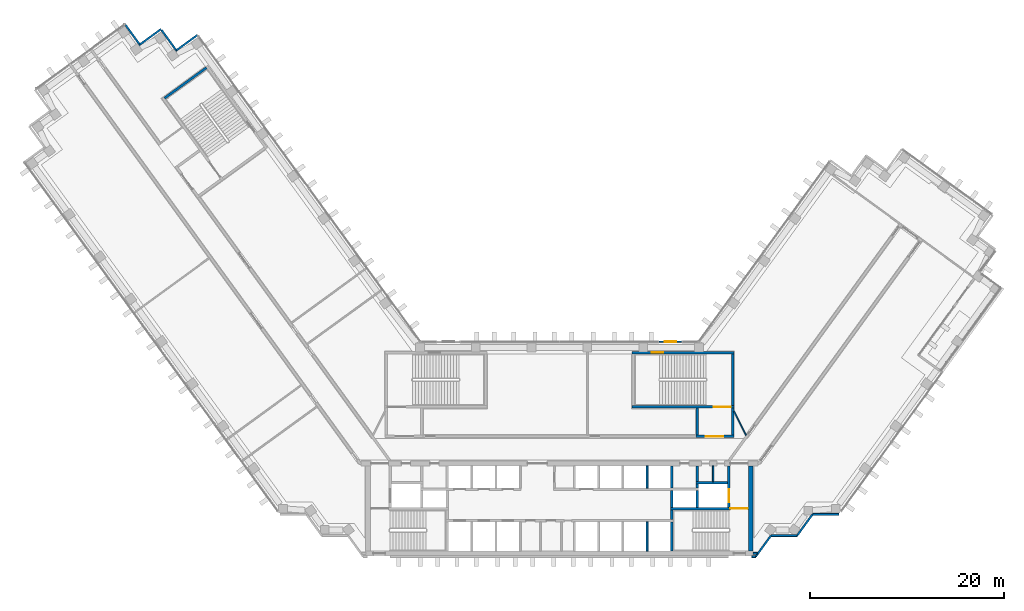
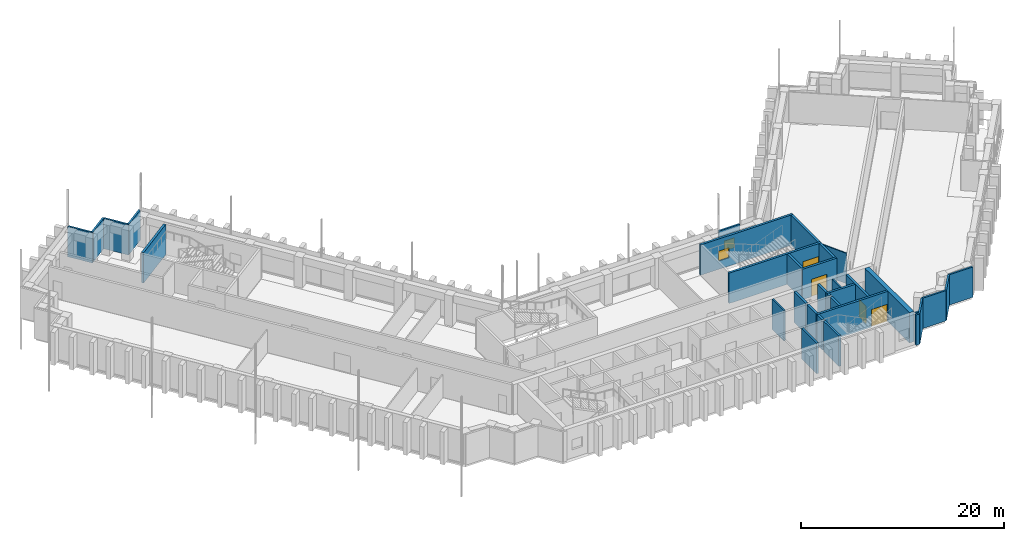
# One storey, part 12 of 16: 33 walls, 4 doors, 2 windows, 6 openings.
"""IFC4 building model written with IfcOpenShell, lengths in metres."""

from ifc_helpers import new_model, si_unit, direction, frame, frame_2d, origin, place, context, subcontext, project, spatial, rectangle, extrude, material, layer, layer_set, type_object, element, fill, save


model = new_model("IFC4")

# Units and contexts
model_context = context("Model", 3, precision=1e-05, world=origin(), true_north=direction((0.0, 1.0)))
body_context = subcontext(model_context, "Body", "Model", "MODEL_VIEW")
ifc_project = project(units=[si_unit("LENGTHUNIT", "METRE"), si_unit("AREAUNIT", "SQUARE_METRE"), si_unit("VOLUMEUNIT", "CUBIC_METRE"), si_unit("PLANEANGLEUNIT", "RADIAN"), si_unit("MASSUNIT", "GRAM", prefix="KILO")], contexts=[model_context])

# Site, building, storey
site_placement = place(None, origin())
site = spatial("IfcSite", under=ifc_project, at=site_placement, CompositionType="ELEMENT")
building_placement = place(site_placement, origin())
building = spatial("IfcBuilding", under=site, at=building_placement, Name="Quipu Civic Tower", CompositionType="ELEMENT")
storey_placement = place(building_placement, frame((0.0, 0.0, 89.0)))
storey = spatial("IfcBuildingStorey", under=building, at=storey_placement, Name="L20", CompositionType="ELEMENT", Elevation=89.0)

# Walls
ifc_material_1 = material(Name="Concrete C70/85", Category="concrete")
ifc_layer_1 = layer(ifc_material_1, 0.25)
ifc_layer_set_1 = layer_set([ifc_layer_1], Name="Concrete C70/85")
wall_type_1 = type_object("IfcWallType", Name="Core wall 250", PredefinedType="SHEAR", material=ifc_layer_set_1)
wall_1_placement = place(storey_placement, frame((11.574951171875, -10.5, 0.0), z_axis=(0.0, 0.0, 1.0), x_axis=(0.0, 1.0, 0.0)))
element("IfcWall", 1, at=wall_1_placement, inside=storey, type_object=wall_type_1, Name="Core wall", PredefinedType="SHEAR", context=body_context, shape_type="SweptSolid", body=[
    extrude(rectangle(XDim=3.0, YDim=0.25, at=frame_2d((1.5, 0.0))), origin(), (0.0, 0.0, 1.0), 3.64990234375),
])
wall_2_placement = place(storey_placement, frame((11.574951171875, -7.25, 0.0), z_axis=(0.0, 0.0, 1.0), x_axis=(0.0, 1.0, 0.0)))
element("IfcWall", 2, at=wall_2_placement, inside=storey, type_object=wall_type_1, Name="Core wall", PredefinedType="SHEAR", context=body_context, shape_type="SweptSolid", body=[
    extrude(rectangle(XDim=1.0, YDim=0.25, at=frame_2d((0.5, 0.0))), origin(), (0.0, 0.0, 1.0), 3.64990234375),
])

# Wall, opening, door
wall_3_placement = place(storey_placement, frame((19.5, -6.125, 0.0), z_axis=(0.0, 0.0, 1.0), x_axis=(-1.0, 0.0, 0.0)))
wall_3 = element("IfcWall", 3, at=wall_3_placement, inside=storey, type_object=wall_type_1, Name="Core wall", PredefinedType="SHEAR", context=body_context, shape_type="SweptSolid", body=[
    extrude(rectangle(XDim=8.050048828125, YDim=0.25, at=frame_2d((4.02490234375, 0.0))), origin(), (0.0, 0.0, 1.0), 3.64990234375),
])
opening_1_placement = place(wall_3_placement, frame((0.050048828125, 0.0, 0.0)))
opening_1 = element("IfcOpeningElement", 4, at=opening_1_placement, cuts=wall_3, Name="Opening CD-05", PredefinedType="OPENING", context=body_context, shape_type="SweptSolid", body=[
    extrude(rectangle(XDim=1.800048828125, YDim=2.10009765625, at=frame_2d((0.89990234375, 1.050048828125))), frame((0.0, 0.135009765625, 0.0), z_axis=(0.0, -1.0, 0.0), x_axis=(1.0, 0.0, 0.0)), (0.0, 0.0, 1.0), 0.27001953125),
])
ifc_material_2 = material(Name="Fire rated steel door", Category="steel")
door_type_1 = type_object("IfcDoorType", Name="Fire door FD90 double 1800 x 2100", OperationType="NOTDEFINED", PredefinedType="DOOR", material=ifc_material_2)
door_1_placement = place(opening_1_placement, origin())
door_1 = element("IfcDoor", 5, at=door_1_placement, inside=storey, type_object=door_type_1, Name="Door", OperationType="DOUBLE_DOOR_SINGLE_SWING", OverallHeight=2.10009765625, OverallWidth=1.800048828125, PredefinedType="DOOR", context=body_context, shape_type="SweptSolid", body=[
    extrude(rectangle(XDim=1.800048828125, YDim=2.10009765625, at=frame_2d((0.89990234375, 1.050048828125))), frame((0.0, 0.02490234375, 0.0), z_axis=(0.0, -1.0, 0.0), x_axis=(1.0, 0.0, 0.0)), (0.0, 0.0, 1.0), 0.050048828125),
])
fill(opening_1, door_1)

# Walls
for number, where, z_axis, x_axis, name in (
    (6, (11.574951171875, -6.0, 0.0), (0.0, 0.0, 1.0), (0.0, 1.0, 0.0), "Core wall"),
    (7, (14.22509765625, -6.0, 0.0), (0.0, 0.0, 1.0), (0.0, 1.0, 0.0), "Core wall"),
):
    element("IfcWall", number, at=place(storey_placement, frame(where, z_axis=z_axis, x_axis=x_axis)), inside=storey, type_object=wall_type_1, Name=name, PredefinedType="SHEAR", context=body_context, shape_type="SweptSolid", body=[
        extrude(rectangle(XDim=1.75, YDim=0.25, at=frame_2d((0.875, 0.0))), origin(), (0.0, 0.0, 1.0), 3.64990234375),
    ])

# Wall, opening, door
wall_4_placement = place(storey_placement, frame((17.47509765625, -6.0, 0.0), z_axis=(0.0, 0.0, 1.0), x_axis=(0.0, 1.0, 0.0)))
wall_4 = element("IfcWall", 8, at=wall_4_placement, inside=storey, type_object=wall_type_1, Name="Core wall", PredefinedType="SHEAR", context=body_context, shape_type="SweptSolid", body=[
    extrude(rectangle(XDim=4.300048828125, YDim=0.25, at=frame_2d((2.14990234375, 0.0))), origin(), (0.0, 0.0, 1.0), 3.64990234375),
])
opening_2_placement = place(wall_4_placement, frame((0.550048828125, 0.0, 0.0)))
opening_2 = element("IfcOpeningElement", 9, at=opening_2_placement, cuts=wall_4, Name="Opening LD-FF2", PredefinedType="OPENING", context=body_context, shape_type="SweptSolid", body=[
    extrude(rectangle(XDim=1.300048828125, YDim=2.10009765625, at=frame_2d((0.64990234375, 1.050048828125))), frame((0.0, 0.135009765625, 0.0), z_axis=(0.0, -1.0, 0.0), x_axis=(1.0, 0.0, 0.0)), (0.0, 0.0, 1.0), 0.27001953125),
])
ifc_material_3 = material(Name="Stainless steel", Category="steel")
door_type_2 = type_object("IfcDoorType", Name="Lift landing door 1300 x 2100", OperationType="DOUBLE_DOOR_SLIDING", PredefinedType="DOOR", material=ifc_material_3)
door_2_placement = place(opening_2_placement, origin())
door_2 = element("IfcDoor", 10, at=door_2_placement, inside=storey, type_object=door_type_2, Name="Landing door FF2", OperationType="DOUBLE_DOOR_SLIDING", OverallHeight=2.10009765625, OverallWidth=1.300048828125, PredefinedType="DOOR", context=body_context, shape_type="SweptSolid", body=[
    extrude(rectangle(XDim=1.300048828125, YDim=2.10009765625, at=frame_2d((0.64990234375, 1.050048828125))), frame((0.0, 0.02490234375, 0.0), z_axis=(0.0, -1.0, 0.0), x_axis=(1.0, 0.0, 0.0)), (0.0, 0.0, 1.0), 0.050048828125),
])
fill(opening_2, door_2)

# Walls
wall_5_placement = place(storey_placement, frame((11.574951171875, -4.0, 0.0), z_axis=(0.0, 0.0, 1.0), x_axis=(0.0, 1.0, 0.0)))
element("IfcWall", 11, at=wall_5_placement, inside=storey, type_object=wall_type_1, Name="Core wall", PredefinedType="SHEAR", context=body_context, shape_type="SweptSolid", body=[
    extrude(rectangle(XDim=2.300048828125, YDim=0.25, at=frame_2d((1.14990234375, 0.0))), origin(), (0.0, 0.0, 1.0), 3.64990234375),
])
wall_6_placement = place(storey_placement, frame((14.22509765625, -4.0, 0.0), z_axis=(0.0, 0.0, 1.0), x_axis=(0.0, 1.0, 0.0)))
element("IfcWall", 12, at=wall_6_placement, inside=storey, type_object=wall_type_1, Name="Core wall", PredefinedType="SHEAR", context=body_context, shape_type="SweptSolid", body=[
    extrude(rectangle(XDim=0.39990234375, YDim=0.25, at=frame_2d((0.199951171875, 0.0))), origin(), (0.0, 0.0, 1.0), 3.64990234375),
])
wall_7_placement = place(storey_placement, frame((14.10009765625, -3.47509765625, 0.0), z_axis=(0.0, 0.0, 1.0), x_axis=(1.0, 0.0, 0.0)))
element("IfcWall", 13, at=wall_7_placement, inside=storey, type_object=wall_type_1, Name="Core wall", PredefinedType="SHEAR", context=body_context, shape_type="SweptSolid", body=[
    extrude(rectangle(XDim=3.25, YDim=0.25, at=frame_2d((1.625, 0.0))), origin(), (0.0, 0.0, 1.0), 3.64990234375),
])
wall_8_placement = place(storey_placement, frame((14.22509765625, -3.35009765625, 0.0), z_axis=(0.0, 0.0, 1.0), x_axis=(0.0, 1.0, 0.0)))
element("IfcWall", 14, at=wall_8_placement, inside=storey, type_object=wall_type_1, Name="Core wall", PredefinedType="SHEAR", context=body_context, shape_type="SweptSolid", body=[
    extrude(rectangle(XDim=1.650146484375, YDim=0.25, at=frame_2d((0.8251953125, 0.0))), origin(), (0.0, 0.0, 1.0), 3.64990234375),
])

# Wall, opening, door
wall_9_placement = place(storey_placement, frame((14.10009765625, 1.324951171875, 0.0), z_axis=(0.0, 0.0, 1.0), x_axis=(1.0, 0.0, 0.0)))
wall_9 = element("IfcWall", 15, at=wall_9_placement, inside=storey, type_object=wall_type_1, Name="Core wall", PredefinedType="SHEAR", context=body_context, shape_type="SweptSolid", body=[
    extrude(rectangle(XDim=3.89990234375, YDim=0.25, at=frame_2d((1.949951171875, 0.0))), origin(), (0.0, 0.0, 1.0), 3.64990234375),
])
opening_3_placement = place(wall_9_placement, frame((1.0, 0.0, 0.0)))
opening_3 = element("IfcOpeningElement", 16, at=opening_3_placement, cuts=wall_9, Name="Opening CD-17", PredefinedType="OPENING", context=body_context, shape_type="SweptSolid", body=[
    extrude(rectangle(XDim=1.800048828125, YDim=2.10009765625, at=frame_2d((0.89990234375, 1.050048828125))), frame((0.0, 0.135009765625, 0.0), z_axis=(0.0, -1.0, 0.0), x_axis=(1.0, 0.0, 0.0)), (0.0, 0.0, 1.0), 0.27001953125),
])
door_3_placement = place(opening_3_placement, origin())
door_3 = element("IfcDoor", 17, at=door_3_placement, inside=storey, type_object=door_type_1, Name="Lobby door", OperationType="DOUBLE_DOOR_SINGLE_SWING", OverallHeight=2.10009765625, OverallWidth=1.800048828125, PredefinedType="DOOR", context=body_context, shape_type="SweptSolid", body=[
    extrude(rectangle(XDim=1.800048828125, YDim=2.10009765625, at=frame_2d((0.89990234375, 1.050048828125))), frame((0.0, 0.02490234375, 0.0), z_axis=(0.0, -1.0, 0.0), x_axis=(1.0, 0.0, 0.0)), (0.0, 0.0, 1.0), 0.050048828125),
])
fill(opening_3, door_3)

# Walls
for number, where, z_axis, x_axis, name in (
    (18, (14.22509765625, 1.449951171875, 0.0), (0.0, 0.0, 1.0), (0.0, 1.0, 0.0), "Core wall"),
    (19, (17.875, 1.449951171875, 0.0), (0.0, 0.0, 1.0), (0.0, 1.0, 0.0), "Core wall"),
):
    element("IfcWall", number, at=place(storey_placement, frame(where, z_axis=z_axis, x_axis=x_axis)), inside=storey, type_object=wall_type_1, Name=name, PredefinedType="SHEAR", context=body_context, shape_type="SweptSolid", body=[
        extrude(rectangle(XDim=2.800048828125, YDim=0.25, at=frame_2d((1.39990234375, 0.0))), origin(), (0.0, 0.0, 1.0), 3.64990234375),
    ])

# Wall, opening, door
wall_10_placement = place(storey_placement, frame((7.5, 4.375, 0.0), z_axis=(0.0, 0.0, 1.0), x_axis=(1.0, 0.0, 0.0)))
wall_10 = element("IfcWall", 20, at=wall_10_placement, inside=storey, type_object=wall_type_1, Name="Core wall", PredefinedType="SHEAR", context=body_context, shape_type="SweptSolid", body=[
    extrude(rectangle(XDim=10.5, YDim=0.25, at=frame_2d((5.25, 0.0))), origin(), (0.0, 0.0, 1.0), 3.64990234375),
])
opening_4_placement = place(wall_10_placement, frame((8.39990234375, 0.0, 0.0)))
opening_4 = element("IfcOpeningElement", 21, at=opening_4_placement, cuts=wall_10, Name="Opening CD-18", PredefinedType="OPENING", context=body_context, shape_type="SweptSolid", body=[
    extrude(rectangle(XDim=1.800048828125, YDim=2.10009765625, at=frame_2d((0.89990234375, 1.050048828125))), frame((0.0, 0.135009765625, 0.0), z_axis=(0.0, -1.0, 0.0), x_axis=(1.0, 0.0, 0.0)), (0.0, 0.0, 1.0), 0.27001953125),
])
door_4_placement = place(opening_4_placement, origin())
door_4 = element("IfcDoor", 22, at=door_4_placement, inside=storey, type_object=door_type_1, Name="Door", OperationType="DOUBLE_DOOR_SINGLE_SWING", OverallHeight=2.10009765625, OverallWidth=1.800048828125, PredefinedType="DOOR", context=body_context, shape_type="SweptSolid", body=[
    extrude(rectangle(XDim=1.800048828125, YDim=2.10009765625, at=frame_2d((0.89990234375, 1.050048828125))), frame((0.0, 0.02490234375, 0.0), z_axis=(0.0, -1.0, 0.0), x_axis=(1.0, 0.0, 0.0)), (0.0, 0.0, 1.0), 0.050048828125),
])
fill(opening_4, door_4)

# Wall
wall_11_placement = place(storey_placement, frame((17.875, 4.5, 0.0), z_axis=(0.0, 0.0, 1.0), x_axis=(0.0, 1.0, 0.0)))
element("IfcWall", 23, at=wall_11_placement, inside=storey, type_object=wall_type_1, Name="Core wall", PredefinedType="SHEAR", context=body_context, shape_type="SweptSolid", body=[
    extrude(rectangle(XDim=5.35009765625, YDim=0.25, at=frame_2d((2.675048828125, 0.0))), origin(), (0.0, 0.0, 1.0), 3.64990234375),
])

# Wall, opening, window
wall_12_placement = place(storey_placement, frame((7.5, 9.97509765625, 0.0), z_axis=(0.0, 0.0, 1.0), x_axis=(1.0, 0.0, 0.0)))
wall_12 = element("IfcWall", 24, at=wall_12_placement, inside=storey, type_object=wall_type_1, Name="Core wall", PredefinedType="SHEAR", context=body_context, shape_type="SweptSolid", body=[
    extrude(rectangle(XDim=10.5, YDim=0.25, at=frame_2d((5.25, 0.0))), origin(), (0.0, 0.0, 1.0), 3.64990234375),
])
opening_5_placement = place(wall_12_placement, frame((2.0, 0.0, 1.0)))
opening_5 = element("IfcOpeningElement", 25, at=opening_5_placement, cuts=wall_12, Name="Opening SV-4", PredefinedType="OPENING", context=body_context, shape_type="SweptSolid", body=[
    extrude(rectangle(XDim=1.199951171875, YDim=1.199951171875, at=frame_2d((0.60009765625, 0.60009765625))), frame((0.0, 0.135009765625, 0.0), z_axis=(0.0, -1.0, 0.0), x_axis=(1.0, 0.0, 0.0)), (0.0, 0.0, 1.0), 0.27001953125),
])
ifc_material_4 = material(Name="Aluminium louvre", Category="aluminium")
window_type_1 = type_object("IfcWindowType", Name="Stair ventilation louvre 1200 x 1200", PartitioningType="SINGLE_PANEL", PredefinedType="WINDOW", material=ifc_material_4)
window_1_placement = place(opening_5_placement, origin())
window_1 = element("IfcWindow", 26, at=window_1_placement, inside=storey, type_object=window_type_1, Name="Stair ventilation opening", OverallHeight=1.199951171875, OverallWidth=1.199951171875, PartitioningType="SINGLE_PANEL", PredefinedType="WINDOW", context=body_context, shape_type="SweptSolid", body=[
    extrude(rectangle(XDim=1.199951171875, YDim=1.199951171875, at=frame_2d((0.60009765625, 0.60009765625))), frame((0.0, 0.030029296875, 0.0), z_axis=(0.0, -1.0, 0.0), x_axis=(1.0, 0.0, 0.0)), (0.0, 0.0, 1.0), 0.06005859375),
])
fill(opening_5, window_1)

# Walls
wall_13_placement = place(storey_placement, frame((-36.43896484375, 39.384033203125, 0.0), z_axis=(0.0, 0.0, 1.0), x_axis=(-0.809020161303, -0.587780893365, 0.0)))
element("IfcWall", 27, at=wall_13_placement, inside=storey, type_object=wall_type_1, Name="Core wall", PredefinedType="SHEAR", context=body_context, shape_type="SweptSolid", body=[
    extrude(rectangle(XDim=5.349853515625, YDim=0.25, at=frame_2d((2.6748046875, 0.0))), origin(), (0.0, 0.0, 1.0), 3.64990234375),
])
ifc_material_5 = material(Name="Concrete C70/85", Category="concrete")
ifc_layer_2 = layer(ifc_material_5, 0.5)
ifc_layer_set_2 = layer_set([ifc_layer_2], Name="Concrete C70/85")
wall_type_2 = type_object("IfcWallType", Name="Core wall 500", PredefinedType="SHEAR", material=ifc_layer_set_2)
wall_14_placement = place(storey_placement, frame((19.75, -10.5, 0.0), z_axis=(0.0, 0.0, 1.0), x_axis=(0.0, 1.0, 0.0)))
element("IfcWall", 28, at=wall_14_placement, inside=storey, type_object=wall_type_2, Name="Core wall", PredefinedType="SHEAR", context=body_context, shape_type="SweptSolid", body=[
    extrude(rectangle(XDim=8.800048828125, YDim=0.5, at=frame_2d((4.39990234375, 0.0))), origin(), (0.0, 0.0, 1.0), 3.64990234375),
])
ifc_material_6 = material(Name="Gypsum plasterboard on light gauge framing")
ifc_layer_3 = layer(ifc_material_6, 0.1201171875)
ifc_layer_set_3 = layer_set([ifc_layer_3], Name="Gypsum plasterboard on light gauge framing")
wall_type_3 = type_object("IfcWallType", Name="Partition 120 plasterboard", PredefinedType="PARTITIONING", material=ifc_layer_set_3)
wall_15_placement = place(storey_placement, frame((18.0, 3.925048828125, 0.0), z_axis=(0.0, 0.0, 1.0), x_axis=(0.453950796792, -0.891026752736, 0.0)))
element("IfcWall", 29, at=wall_15_placement, inside=storey, type_object=wall_type_3, Name="Partition P11", PredefinedType="PARTITIONING", context=body_context, shape_type="SweptSolid", body=[
    extrude(rectangle(XDim=2.77783203125, YDim=0.1201171875, at=frame_2d((1.388916015625, 0.0))), origin(), (0.0, 0.0, 1.0), 3.64990234375),
])
ifc_material_7 = material(Name="Gypsum board partition")
ifc_layer_4 = layer(ifc_material_7, 0.14990234375)
ifc_layer_set_4 = layer_set([ifc_layer_4], Name="Gypsum board partition")
wall_type_4 = type_object("IfcWallType", Name="Partition 150", PredefinedType="PARTITIONING", material=ifc_layer_set_4)
wall_16_placement = place(storey_placement, frame((15.85009765625, -3.35009765625, 0.0), z_axis=(0.0, 0.0, 1.0), x_axis=(0.0, 1.0, 0.0)))
element("IfcWall", 30, at=wall_16_placement, inside=storey, type_object=wall_type_4, Name="Partition", PredefinedType="PARTITIONING", context=body_context, shape_type="SweptSolid", body=[
    extrude(rectangle(XDim=1.650146484375, YDim=0.14990234375, at=frame_2d((0.8251953125, 0.0))), origin(), (0.0, 0.0, 1.0), 3.64990234375),
])

# Wall, opening, window
ifc_material_8 = material(Name="Precast concrete C40/50", Category="concrete")
wall_type_5 = type_object("IfcWallType", Name="Precast cladding wall", PredefinedType="SOLIDWALL", material=ifc_material_8)
wall_17_placement = place(storey_placement, frame((12.655029296875, 11.10009765625, 0.0), z_axis=(0.0, 0.0, 1.0), x_axis=(-1.0, 0.0, 0.0)))
wall_17 = element("IfcWall", 31, at=wall_17_placement, inside=storey, type_object=wall_type_5, Name="Vent surround SF-L19-2", PredefinedType="SOLIDWALL", context=body_context, shape_type="SweptSolid", body=[
    extrude(rectangle(XDim=2.3916015625, YDim=0.199951171875, at=frame_2d((1.19580078125, 0.0))), origin(), (0.0, 0.0, 1.0), 3.64990234375),
])
opening_6_placement = place(wall_17_placement, frame((0.595703125, 0.0, 1.0)))
opening_6 = element("IfcOpeningElement", 32, at=opening_6_placement, cuts=wall_17, Name="Opening SF-L19-2", PredefinedType="OPENING", context=body_context, shape_type="SweptSolid", body=[
    extrude(rectangle(XDim=1.199951171875, YDim=1.199951171875, at=frame_2d((0.60009765625, 0.60009765625))), frame((0.0, 0.10986328125, 0.0), z_axis=(0.0, -1.0, 0.0), x_axis=(1.0, 0.0, 0.0)), (0.0, 0.0, 1.0), 0.219970703125),
])
ifc_material_9 = material(Name="Anodised aluminium louvre", Category="aluminium")
window_type_2 = type_object("IfcWindowType", Name="Stair vent louvre window P3", PartitioningType="SINGLE_PANEL", PredefinedType="WINDOW", material=ifc_material_9)
window_2_placement = place(opening_6_placement, origin())
window_2 = element("IfcWindow", 33, at=window_2_placement, inside=storey, type_object=window_type_2, Name="Stair vent louvre SF-L19-2", OverallHeight=1.199951171875, OverallWidth=1.199951171875, PartitioningType="SINGLE_PANEL", PredefinedType="WINDOW", context=body_context, shape_type="SweptSolid", body=[
    extrude(rectangle(XDim=1.199951171875, YDim=1.199951171875, at=frame_2d((0.60009765625, 0.60009765625))), frame((0.0, 0.030029296875, 0.0), z_axis=(0.0, -1.0, 0.0), x_axis=(1.0, 0.0, 0.0)), (0.0, 0.0, 1.0), 0.06005859375),
])
fill(opening_6, window_2)

# Walls
wall_18_placement = place(storey_placement, frame((-37.352783203125, 42.768310546875, 0.0), z_axis=(0.0, 0.0, 1.0), x_axis=(-0.809033161865, -0.587762999008, 0.0)))
element("IfcWall", 34, at=wall_18_placement, inside=storey, type_object=wall_type_5, Name="Precast cladding wall L20 P14", PredefinedType="SOLIDWALL", context=body_context, shape_type="SweptSolid", body=[
    extrude(rectangle(XDim=2.699951171875, YDim=0.199951171875, at=frame_2d((1.35009765625, 0.0))), origin(), (0.0, 0.0, 1.0), 3.64990234375),
])
wall_19_placement = place(storey_placement, frame((-39.488037109375, 41.093505859375, 0.0), z_axis=(0.0, 0.0, 1.0), x_axis=(-0.587806000234, 0.809001919707, 0.0)))
element("IfcWall", 35, at=wall_19_placement, inside=storey, type_object=wall_type_5, Name="Precast cladding wall L20 P15", PredefinedType="SOLIDWALL", context=body_context, shape_type="SweptSolid", body=[
    extrude(rectangle(XDim=2.69970703125, YDim=0.199951171875, at=frame_2d((1.349853515625, 0.0))), origin(), (0.0, 0.0, 1.0), 3.64990234375),
])
for number, where, z_axis, x_axis, name in (
    (36, (-41.1240234375, 43.36572265625, 0.0), (0.0, 0.0, 1.0), (-0.809033161865, -0.587762999008, 0.0), "Precast cladding wall L20 P16"),
    (37, (-43.25927734375, 41.690673828125, 0.0), (0.0, 0.0, 1.0), (-0.587822180636, 0.808990163075, 0.0), "Precast cladding wall L20 P17"),
):
    element("IfcWall", number, at=place(storey_placement, frame(where, z_axis=z_axis, x_axis=x_axis)), inside=storey, type_object=wall_type_5, Name=name, PredefinedType="SOLIDWALL", context=body_context, shape_type="SweptSolid", body=[
        extrude(rectangle(XDim=2.699951171875, YDim=0.199951171875, at=frame_2d((1.35009765625, 0.0))), origin(), (0.0, 0.0, 1.0), 3.64990234375),
    ])
wall_20_placement = place(storey_placement, frame((19.85009765625, -11.087890625, 0.0), z_axis=(0.0, 0.0, 1.0), x_axis=(1.0, 0.0, 0.0)))
element("IfcWall", 38, at=wall_20_placement, inside=storey, type_object=wall_type_5, Name="Precast cladding wall L20 P31", PredefinedType="SOLIDWALL", context=body_context, shape_type="SweptSolid", body=[
    extrude(rectangle(XDim=0.40576171875, YDim=0.199951171875, at=frame_2d((0.202880859375, 0.0))), origin(), (0.0, 0.0, 1.0), 3.64990234375),
])
wall_21_placement = place(storey_placement, frame((20.253173828125, -11.083251953125, 0.0), z_axis=(0.0, 0.0, 1.0), x_axis=(0.587766567315, 0.809030569476, 0.0)))
element("IfcWall", 39, at=wall_21_placement, inside=storey, type_object=wall_type_5, Name="Precast cladding wall L20 P32", PredefinedType="SOLIDWALL", context=body_context, shape_type="SweptSolid", body=[
    extrude(rectangle(XDim=2.687744140625, YDim=0.199951171875, at=frame_2d((1.34375, 0.0))), origin(), (0.0, 0.0, 1.0), 3.64990234375),
])
wall_22_placement = place(storey_placement, frame((21.8427734375, -8.90380859375, 0.0), z_axis=(0.0, 0.0, 1.0), x_axis=(1.0, 0.0, 0.0)))
element("IfcWall", 40, at=wall_22_placement, inside=storey, type_object=wall_type_5, Name="Precast cladding wall L20 P33", PredefinedType="SOLIDWALL", context=body_context, shape_type="SweptSolid", body=[
    extrude(rectangle(XDim=2.699951171875, YDim=0.199951171875, at=frame_2d((1.35009765625, 0.0))), origin(), (0.0, 0.0, 1.0), 3.64990234375),
])
wall_23_placement = place(storey_placement, frame((24.533203125, -8.90869140625, 0.0), z_axis=(0.0, 0.0, 1.0), x_axis=(0.587720002413, 0.809064397168, 0.0)))
element("IfcWall", 41, at=wall_23_placement, inside=storey, type_object=wall_type_5, Name="Precast cladding wall L20 P34", PredefinedType="SOLIDWALL", context=body_context, shape_type="SweptSolid", body=[
    extrude(rectangle(XDim=2.7001953125, YDim=0.199951171875, at=frame_2d((1.35009765625, 0.0))), origin(), (0.0, 0.0, 1.0), 3.64990234375),
])
wall_24_placement = place(storey_placement, frame((26.1298828125, -6.71923828125, 0.0), z_axis=(0.0, 0.0, 1.0), x_axis=(1.0, 0.0, 0.0)))
element("IfcWall", 42, at=wall_24_placement, inside=storey, type_object=wall_type_5, Name="Precast cladding wall L20 P35", PredefinedType="SOLIDWALL", context=body_context, shape_type="SweptSolid", body=[
    extrude(rectangle(XDim=2.699951171875, YDim=0.199951171875, at=frame_2d((1.35009765625, 0.0))), origin(), (0.0, 0.0, 1.0), 3.64990234375),
])
wall_25_placement = place(storey_placement, frame((19.97998046875, -10.75, 0.0), z_axis=(0.0, 0.0, 1.0), x_axis=(1.0, 0.0, 0.0)))
element("IfcWall", 43, at=wall_25_placement, inside=storey, type_object=wall_type_5, Name="Precast cladding return L20 E", PredefinedType="SOLIDWALL", context=body_context, shape_type="SweptSolid", body=[
    extrude(rectangle(XDim=0.41650390625, YDim=0.199951171875, at=frame_2d((0.208251953125, 0.0))), origin(), (0.0, 0.0, 1.0), 3.64990234375),
])
ifc_material_10 = material(Name="Concrete C40/50", Category="concrete")
ifc_layer_5 = layer(ifc_material_10, 0.199951171875)
ifc_layer_set_5 = layer_set([ifc_layer_5], Name="Concrete C40/50")
wall_type_6 = type_object("IfcWallType", Name="Shaft wall 200", PredefinedType="SOLIDWALL", material=ifc_layer_set_5)
wall_26_placement = place(storey_placement, frame((9.050048828125, -10.5, 0.0), z_axis=(0.0, 0.0, 1.0), x_axis=(0.0, 1.0, 0.0)))
element("IfcWall", 44, at=wall_26_placement, inside=storey, type_object=wall_type_6, Name="Shaft wall", PredefinedType="SOLIDWALL", context=body_context, shape_type="SweptSolid", body=[
    extrude(rectangle(XDim=3.0, YDim=0.199951171875, at=frame_2d((1.5, 0.0))), origin(), (0.0, 0.0, 1.0), 3.64990234375),
])
wall_27_placement = place(storey_placement, frame((9.050048828125, -4.0, 0.0), z_axis=(0.0, 0.0, 1.0), x_axis=(0.0, 1.0, 0.0)))
element("IfcWall", 45, at=wall_27_placement, inside=storey, type_object=wall_type_6, Name="Shaft wall", PredefinedType="SOLIDWALL", context=body_context, shape_type="SweptSolid", body=[
    extrude(rectangle(XDim=2.300048828125, YDim=0.199951171875, at=frame_2d((1.14990234375, 0.0))), origin(), (0.0, 0.0, 1.0), 3.64990234375),
])

save(model, "model.ifc")
